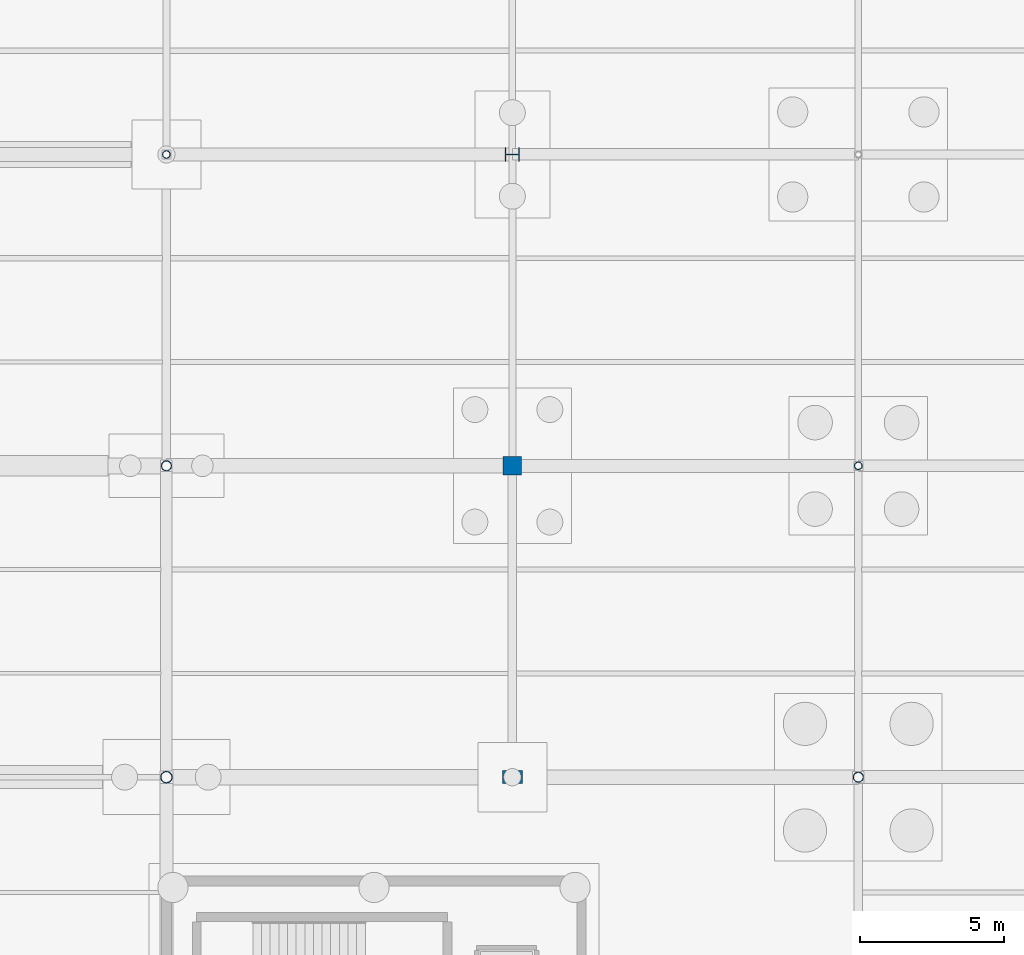
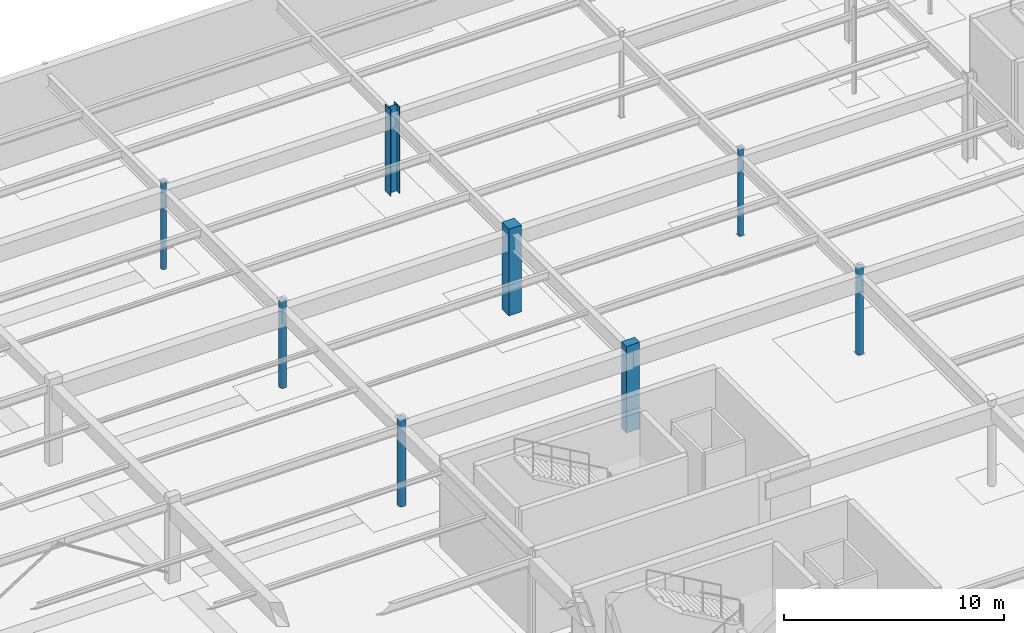
# One storey, part 32 of 136: 8 columns.
"""IFC4 building model written with IfcOpenShell, lengths in metres."""

from ifc_helpers import new_model, si_unit, direction, frame, origin, origin_2d, place, context, subcontext, project, spatial, rectangle, hollow_circle, i_section, extrude, material, material_profile, profile_set, type_object, element, save


model = new_model("IFC4")

# Units and contexts
model_context = context("Model", 3, precision=1e-05, world=origin(), true_north=direction((0.0, 1.0)))
body_context = subcontext(model_context, "Body", "Model", "MODEL_VIEW")
ifc_project = project(units=[si_unit("LENGTHUNIT", "METRE"), si_unit("AREAUNIT", "SQUARE_METRE"), si_unit("VOLUMEUNIT", "CUBIC_METRE"), si_unit("PLANEANGLEUNIT", "RADIAN"), si_unit("MASSUNIT", "GRAM", prefix="KILO")], contexts=[model_context])

# Site, building, storey
site_placement = place(None, origin())
site = spatial("IfcSite", under=ifc_project, at=site_placement, CompositionType="ELEMENT")
building_placement = place(site_placement, origin())
building = spatial("IfcBuilding", under=site, at=building_placement, Name="Tarnwether General Hospital", CompositionType="ELEMENT")
storey_placement = place(building_placement, frame((0.0, 0.0, -4.800048828125)))
storey = spatial("IfcBuildingStorey", under=building, at=storey_placement, Name="LG", CompositionType="ELEMENT", Elevation=-4.800048828125)

# Columns
ifc_material_1 = material(Name="Steel Grade 350 (350 MPa)", Category="steel")
ifc_material_profile_1 = material_profile(ifc_material_1, i_section(OverallWidth=0.5, OverallDepth=0.5, WebThickness=0.02197265625, FlangeThickness=0.035888671875, at=origin_2d()), Name="500WC380")
ifc_profile_set_1 = profile_set([ifc_material_profile_1], Name="Steel Grade 350 (350 MPa)")
column_type_1 = type_object("IfcColumnType", Name="COL-01", PredefinedType="COLUMN", material=ifc_profile_set_1)
column_1_placement = place(storey_placement, frame((36.0, 115.199951171875, 0.0), z_axis=(0.0, 0.0, 1.0), x_axis=(0.0, 1.0, 0.0)))
element("IfcColumn", 1, at=column_1_placement, inside=storey, type_object=column_type_1, Name="Column COLG-LG-3600_11520", PredefinedType="COLUMN", context=body_context, shape_type="SweptSolid", body=[
    extrude(i_section(OverallWidth=0.5, OverallDepth=0.5, WebThickness=0.02197265625, FlangeThickness=0.035888671875, at=origin_2d()), origin(), (0.0, 0.0, 1.0), 4.800048828125),
])
ifc_material_2 = material(Name="Steel Grade C350L0 (350 MPa)", Category="steel")
ifc_material_profile_2 = material_profile(ifc_material_2, hollow_circle(Radius=0.203125, WallThickness=0.01611328125, at=origin_2d()), Name="CHS406.4x16.0")
ifc_profile_set_2 = profile_set([ifc_material_profile_2], Name="Steel Grade C350L0 (350 MPa)")
column_type_2 = type_object("IfcColumnType", Name="COL-10", PredefinedType="COLUMN", material=ifc_profile_set_2)
column_2_placement = place(storey_placement, frame((24.0, 93.60009765625, 0.0), z_axis=(0.0, 0.0, 1.0), x_axis=(1.0, 0.0, 0.0)))
element("IfcColumn", 2, at=column_2_placement, inside=storey, type_object=column_type_2, Name="Column COLG-LG-2400_9360", PredefinedType="COLUMN", context=body_context, shape_type="SweptSolid", body=[
    extrude(hollow_circle(Radius=0.203125, WallThickness=0.01611328125, at=origin_2d()), origin(), (0.0, 0.0, 1.0), 4.800048828125),
])
ifc_material_3 = material(Name="Steel Grade C350L0 (350 MPa)", Category="steel")
ifc_material_profile_3 = material_profile(ifc_material_3, hollow_circle(Radius=0.177734375, WallThickness=0.0126953125, at=origin_2d()), Name="CHS355.6x12.7")
ifc_profile_set_3 = profile_set([ifc_material_profile_3], Name="Steel Grade C350L0 (350 MPa)")
column_type_3 = type_object("IfcColumnType", Name="COL-11", PredefinedType="COLUMN", material=ifc_profile_set_3)
for number, where, z_axis, x_axis, name in (
    (3, (24.0, 104.39990234375, 0.0), (0.0, 0.0, 1.0), (1.0, 0.0, 0.0), "Column COLG-LG-2400_10440"),
    (4, (48.0, 93.60009765625, 0.0), (0.0, 0.0, 1.0), (1.0, 0.0, 0.0), "Column COLG-LG-4800_9360"),
):
    element("IfcColumn", number, at=place(storey_placement, frame(where, z_axis=z_axis, x_axis=x_axis)), inside=storey, type_object=column_type_3, Name=name, PredefinedType="COLUMN", context=body_context, shape_type="SweptSolid", body=[
        extrude(hollow_circle(Radius=0.177734375, WallThickness=0.0126953125, at=origin_2d()), origin(), (0.0, 0.0, 1.0), 4.800048828125),
    ])
ifc_material_4 = material(Name="Steel Grade C350L0 (350 MPa)", Category="steel")
ifc_material_profile_4 = material_profile(ifc_material_4, hollow_circle(Radius=0.136474609375, WallThickness=0.0126953125, at=origin_2d()), Name="CHS273.1x12.7")
ifc_profile_set_4 = profile_set([ifc_material_profile_4], Name="Steel Grade C350L0 (350 MPa)")
column_type_4 = type_object("IfcColumnType", Name="COL-12", PredefinedType="COLUMN", material=ifc_profile_set_4)
for number, where, z_axis, x_axis, name in (
    (5, (24.0, 115.199951171875, 0.0), (0.0, 0.0, 1.0), (1.0, 0.0, 0.0), "Column COLG-LG-2400_11520"),
    (6, (48.0, 104.39990234375, 0.0), (0.0, 0.0, 1.0), (1.0, 0.0, 0.0), "Column COLG-LG-4800_10440"),
):
    element("IfcColumn", number, at=place(storey_placement, frame(where, z_axis=z_axis, x_axis=x_axis)), inside=storey, type_object=column_type_4, Name=name, PredefinedType="COLUMN", context=body_context, shape_type="SweptSolid", body=[
        extrude(hollow_circle(Radius=0.136474609375, WallThickness=0.0126953125, at=origin_2d()), origin(), (0.0, 0.0, 1.0), 4.800048828125),
    ])
ifc_material_5 = material(Name="Concrete 50 MPa", Category="concrete")
ifc_material_profile_5 = material_profile(ifc_material_5, rectangle(XDim=0.449951171875, YDim=0.699951171875, at=origin_2d()), Name="RC-PIL-450x700")
ifc_profile_set_5 = profile_set([ifc_material_profile_5], Name="Concrete 50 MPa")
column_type_5 = type_object("IfcColumnType", Name="COL-22", PredefinedType="PILASTER", material=ifc_profile_set_5)
column_3_placement = place(storey_placement, frame((36.0, 93.60009765625, 0.0), z_axis=(0.0, 0.0, 1.0), x_axis=(0.0, 1.0, 0.0)))
element("IfcColumn", 7, at=column_3_placement, inside=storey, type_object=column_type_5, Name="Column COLG-LG-3600_9360", PredefinedType="PILASTER", context=body_context, shape_type="SweptSolid", body=[
    extrude(rectangle(XDim=0.449951171875, YDim=0.699951171875, at=origin_2d()), origin(), (0.0, 0.0, 1.0), 4.800048828125),
])
ifc_material_6 = material(Name="Concrete 50 MPa", Category="concrete")
ifc_material_profile_6 = material_profile(ifc_material_6, rectangle(XDim=0.64990234375, YDim=0.64990234375, at=origin_2d()), Name="RC-COL-650x650")
ifc_profile_set_6 = profile_set([ifc_material_profile_6], Name="Concrete 50 MPa")
column_type_6 = type_object("IfcColumnType", Name="COL-35", PredefinedType="COLUMN", material=ifc_profile_set_6)
column_4_placement = place(storey_placement, frame((36.0, 104.39990234375, 0.0), z_axis=(0.0, 0.0, 1.0), x_axis=(0.0, 1.0, 0.0)))
element("IfcColumn", 8, at=column_4_placement, inside=storey, type_object=column_type_6, Name="Column COLG-LG-3600_10440", PredefinedType="COLUMN", context=body_context, shape_type="SweptSolid", body=[
    extrude(rectangle(XDim=0.64990234375, YDim=0.64990234375, at=origin_2d()), origin(), (0.0, 0.0, 1.0), 4.800048828125),
])

save(model, "model.ifc")
